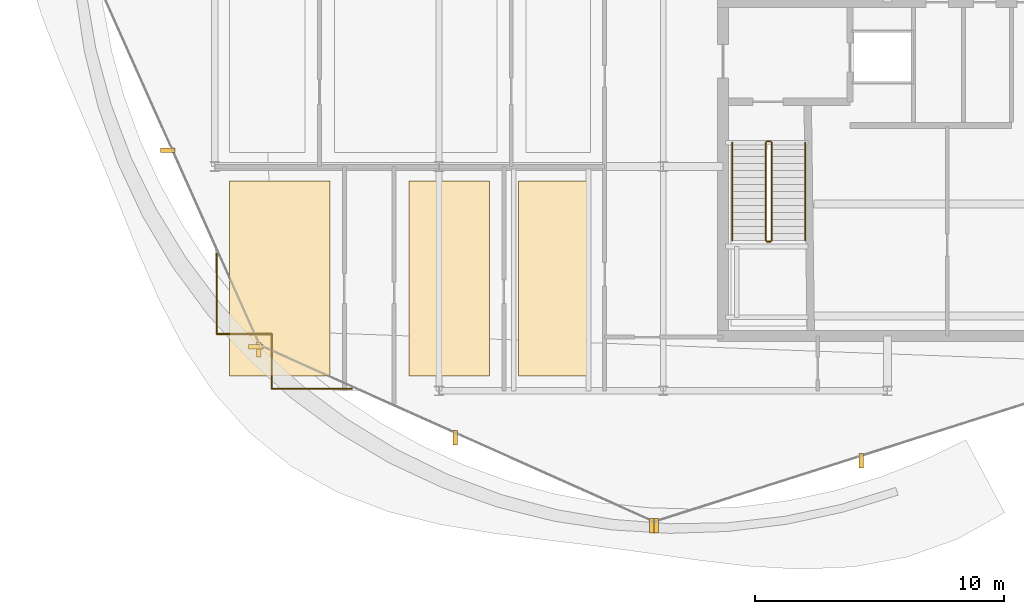
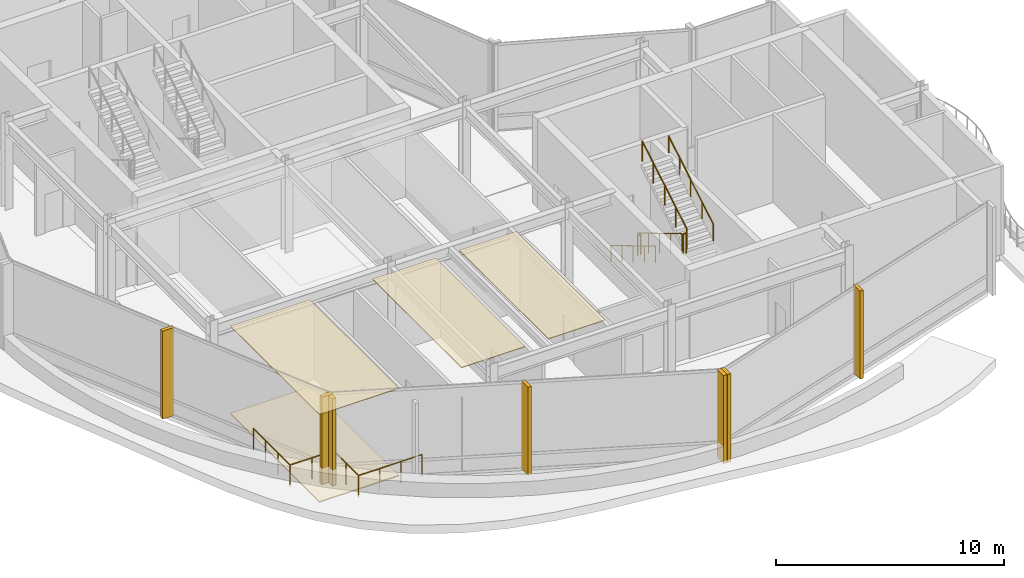
# One storey, part 19 of 23: 11 coverings, 10 railings.
"""IFC4 building model written with IfcOpenShell, lengths in metres."""

from ifc_helpers import new_model, si_unit, direction, frame, origin, origin_2d, place, context, subcontext, project, spatial, polyline, rectangle, circle, outline, extrude, material, layer, layer_set, type_object, element, save


model = new_model("IFC4")

# Units and contexts
model_context = context("Model", 3, precision=1e-05, world=origin(), true_north=direction((0.0, 1.0)))
body_context = subcontext(model_context, "Body", "Model", "MODEL_VIEW")
ifc_project = project(units=[si_unit("LENGTHUNIT", "METRE"), si_unit("AREAUNIT", "SQUARE_METRE"), si_unit("VOLUMEUNIT", "CUBIC_METRE"), si_unit("PLANEANGLEUNIT", "RADIAN"), si_unit("MASSUNIT", "GRAM", prefix="KILO")], contexts=[model_context])

# Site, building, storey
site_placement = place(None, origin())
site = spatial("IfcSite", under=ifc_project, at=site_placement, CompositionType="ELEMENT")
building_placement = place(site_placement, origin())
building = spatial("IfcBuilding", under=site, at=building_placement, Name="Solvaryn Broadcast Tower", CompositionType="ELEMENT")
storey_placement = place(building_placement, frame((0.0, 0.0, 235.800048828125)))
storey = spatial("IfcBuildingStorey", under=building, at=storey_placement, Name="L59", CompositionType="ELEMENT", Elevation=235.800048828125)

# Coverings
ifc_material_1 = material(Name="Micro-Perforated Acoustic Gypsum Ceiling", Category="concrete")
ifc_layer_1 = layer(ifc_material_1, 0.0400390625)
ifc_layer_set_1 = layer_set([ifc_layer_1], Name="CV-CEIL-ACOUSTIC")
covering_type_1 = type_object("IfcCoveringType", Name="CV-CEIL-ACOUSTIC", PredefinedType="CEILING", material=ifc_layer_set_1)
covering_1_placement = place(storey_placement, frame((0.0, 0.0, 4.679931640625)))
element("IfcCovering", 1, at=covering_1_placement, inside=storey, type_object=covering_type_1, Name="L59 Room Acoustic Ceiling 4", PredefinedType="CEILING", context=body_context, shape_type="SweptSolid", body=[
    extrude(outline(polyline([(9.60009765625, 9.60009765625), (13.6298828125, 9.60009765625), (13.6298828125, 17.429931640625), (9.60009765625, 17.429931640625), (9.60009765625, 9.60009765625)])), origin(), (0.0, 0.0, 1.0), 0.0400390625),
])
covering_2_placement = place(storey_placement, frame((0.0, 0.0, 4.679931640625)))
element("IfcCovering", 2, at=covering_2_placement, inside=storey, type_object=covering_type_1, Name="L59 Room Acoustic Ceiling 5", PredefinedType="CEILING", context=body_context, shape_type="SweptSolid", body=[
    extrude(outline(polyline([(16.800048828125, 9.60009765625), (20.030029296875, 9.60009765625), (20.030029296875, 17.429931640625), (16.800048828125, 17.429931640625), (16.800048828125, 9.60009765625)])), origin(), (0.0, 0.0, 1.0), 0.0400390625),
])
covering_3_placement = place(storey_placement, frame((0.0, 0.0, 4.679931640625)))
element("IfcCovering", 3, at=covering_3_placement, inside=storey, type_object=covering_type_1, Name="L59 Room Acoustic Ceiling 6", PredefinedType="CEILING", context=body_context, shape_type="SweptSolid", body=[
    extrude(outline(polyline([(21.199951171875, 9.60009765625), (24.080078125, 9.60009765625), (24.080078125, 17.429931640625), (21.199951171875, 17.429931640625), (21.199951171875, 9.60009765625)])), origin(), (0.0, 0.0, 1.0), 0.0400390625),
])
ifc_material_2 = material(Name="Newsroom Raised Data Access Flooring", Category="steel")
ifc_layer_2 = layer(ifc_material_2, 0.050048828125)
ifc_layer_set_2 = layer_set([ifc_layer_2], Name="CV-FLOOR-RAISED")
covering_type_2 = type_object("IfcCoveringType", Name="CV-FLOOR-RAISED", PredefinedType="FLOORING", material=ifc_layer_set_2)
covering_4_placement = place(storey_placement, origin())
element("IfcCovering", 4, at=covering_4_placement, inside=storey, type_object=covering_type_2, Name="L59 Room Acoustic Floor Finish 4", PredefinedType="FLOORING", context=body_context, shape_type="SweptSolid", body=[
    extrude(outline(polyline([(9.60009765625, 9.60009765625), (13.6298828125, 9.60009765625), (13.6298828125, 17.429931640625), (9.60009765625, 17.429931640625), (9.60009765625, 9.60009765625)])), origin(), (0.0, 0.0, 1.0), 0.050048828125),
])
ifc_material_3 = material(Name="Extruded Architectural Terracotta Fin", Category="masonry")
ifc_layer_3 = layer(ifc_material_3, 0.179931640625)
ifc_layer_set_3 = layer_set([ifc_layer_3], Name="CV-TC-FIN")
covering_type_3 = type_object("IfcCoveringType", Name="CV-TC-FIN", PredefinedType="USERDEFINED", material=ifc_layer_set_3)
for number, where, z_axis, x_axis, name in (
    (5, (7.11328125, 18.653076171875, 0.0), (0.0, 0.0, 1.0), (1.0, 0.0, 0.0), "L59 Terracotta Vertical Fin FIN-L59-DR2-M01"),
    (6, (10.640380859375, 10.77099609375, 0.0), (0.0, 0.0, 1.0), (1.0, 0.0, 0.0), "L59 Terracotta Vertical Fin FIN-L59-DR2-M02"),
):
    element("IfcCovering", number, at=place(storey_placement, frame(where, z_axis=z_axis, x_axis=x_axis)), inside=storey, type_object=covering_type_3, Name=name, ObjectType="FIN", PredefinedType="USERDEFINED", context=body_context, shape_type="SweptSolid", body=[
        extrude(rectangle(XDim=0.580078125, YDim=0.179931640625, at=origin_2d()), origin(), (0.0, 0.0, 1.0), 4.719970703125),
    ])
for number, where, z_axis, x_axis, name in (
    (7, (10.77099609375, 10.640380859375, 0.0), (0.0, 0.0, 1.0), (1.0, 0.0, 0.0), "L59 Terracotta Vertical Fin FIN-L59-DR3-M00"),
    (8, (18.653076171875, 7.11328125, 0.0), (0.0, 0.0, 1.0), (1.0, 0.0, 0.0), "L59 Terracotta Vertical Fin FIN-L59-DR3-M01"),
    (9, (26.53515625, 3.5859375, 0.0), (0.0, 0.0, 1.0), (1.0, 0.0, 0.0), "L59 Terracotta Vertical Fin FIN-L59-DR3-M02"),
    (10, (26.71923828125, 3.575439453125, 0.0), (0.0, 0.0, 1.0), (1.0, 0.0, 0.0), "L59 Terracotta Vertical Fin FIN-L59-DR4-M00"),
    (11, (34.947265625, 6.197265625, 0.0), (0.0, 0.0, 1.0), (1.0, 0.0, 0.0), "L59 Terracotta Vertical Fin FIN-L59-DR4-M01"),
):
    element("IfcCovering", number, at=place(storey_placement, frame(where, z_axis=z_axis, x_axis=x_axis)), inside=storey, type_object=covering_type_3, Name=name, ObjectType="FIN", PredefinedType="USERDEFINED", context=body_context, shape_type="SweptSolid", body=[
        extrude(rectangle(XDim=0.179931640625, YDim=0.580078125, at=origin_2d()), origin(), (0.0, 0.0, 1.0), 4.719970703125),
    ])

# Railings
ifc_material_4 = material(Name="Stainless Steel and Laminated Glass Guard", Category="steel")
railing_type_1 = type_object("IfcRailingType", Name="RL-SKYG-1200", PredefinedType="BALUSTRADE", material=ifc_material_4)
railing_1_placement = place(storey_placement, frame((9.080078125, 14.5, 0.0)))
element("IfcRailing", 12, at=railing_1_placement, inside=storey, type_object=railing_type_1, Name="L59 Upper SW Corner Balustrade 1", PredefinedType="BALUSTRADE", context=body_context, shape_type="SweptSolid", body=[
    extrude(circle(Radius=0.02392578125, at=origin_2d()), frame((0.0, 0.0, 1.17578125), z_axis=(0.0, -1.0, 0.0), x_axis=(1.0, 0.0, 0.0)), (0.0, 0.0, 1.0), 3.219970703125),
    extrude(circle(Radius=0.02099609375, at=origin_2d()), origin(), (0.0, 0.0, 1.0), 1.15185546875),
    extrude(circle(Radius=0.02099609375, at=origin_2d()), frame((0.0, -1.0732421875, 0.0)), (0.0, 0.0, 1.0), 1.15185546875),
    extrude(circle(Radius=0.02099609375, at=origin_2d()), frame((0.0, -2.146728515625, 0.0)), (0.0, 0.0, 1.0), 1.15185546875),
    extrude(circle(Radius=0.02099609375, at=origin_2d()), frame((0.0, -3.219970703125, 0.0)), (0.0, 0.0, 1.0), 1.15185546875),
])
railing_2_placement = place(storey_placement, frame((9.080078125, 11.280029296875, 0.0)))
element("IfcRailing", 13, at=railing_2_placement, inside=storey, type_object=railing_type_1, Name="L59 Upper SW Corner Balustrade 2", PredefinedType="BALUSTRADE", context=body_context, shape_type="SweptSolid", body=[
    extrude(circle(Radius=0.02392578125, at=origin_2d()), frame((0.0, 0.0, 1.17578125), z_axis=(1.0, 0.0, 0.0), x_axis=(0.0, 1.0, 0.0)), (0.0, 0.0, 1.0), 2.199951171875),
    extrude(circle(Radius=0.02099609375, at=origin_2d()), origin(), (0.0, 0.0, 1.0), 1.15185546875),
    extrude(circle(Radius=0.02099609375, at=origin_2d()), frame((1.10009765625, 0.0, 0.0)), (0.0, 0.0, 1.0), 1.15185546875),
    extrude(circle(Radius=0.02099609375, at=origin_2d()), frame((2.199951171875, 0.0, 0.0)), (0.0, 0.0, 1.0), 1.15185546875),
])
railing_3_placement = place(storey_placement, frame((11.280029296875, 11.280029296875, 0.0)))
element("IfcRailing", 14, at=railing_3_placement, inside=storey, type_object=railing_type_1, Name="L59 Upper SW Corner Balustrade 3", PredefinedType="BALUSTRADE", context=body_context, shape_type="SweptSolid", body=[
    extrude(circle(Radius=0.02392578125, at=origin_2d()), frame((0.0, 0.0, 1.17578125), z_axis=(0.0, -1.0, 0.0), x_axis=(1.0, 0.0, 0.0)), (0.0, 0.0, 1.0), 2.199951171875),
    extrude(circle(Radius=0.02099609375, at=origin_2d()), origin(), (0.0, 0.0, 1.0), 1.15185546875),
    extrude(circle(Radius=0.02099609375, at=origin_2d()), frame((0.0, -1.10009765625, 0.0)), (0.0, 0.0, 1.0), 1.15185546875),
    extrude(circle(Radius=0.02099609375, at=origin_2d()), frame((0.0, -2.199951171875, 0.0)), (0.0, 0.0, 1.0), 1.15185546875),
])
railing_4_placement = place(storey_placement, frame((11.280029296875, 9.080078125, 0.0)))
element("IfcRailing", 15, at=railing_4_placement, inside=storey, type_object=railing_type_1, Name="L59 Upper SW Corner Balustrade 4", PredefinedType="BALUSTRADE", context=body_context, shape_type="SweptSolid", body=[
    extrude(circle(Radius=0.02392578125, at=origin_2d()), frame((0.0, 0.0, 1.17578125), z_axis=(1.0, 0.0, 0.0), x_axis=(0.0, 1.0, 0.0)), (0.0, 0.0, 1.0), 3.219970703125),
    extrude(circle(Radius=0.02099609375, at=origin_2d()), origin(), (0.0, 0.0, 1.0), 1.15185546875),
    extrude(circle(Radius=0.02099609375, at=origin_2d()), frame((1.0732421875, 0.0, 0.0)), (0.0, 0.0, 1.0), 1.15185546875),
    extrude(circle(Radius=0.02099609375, at=origin_2d()), frame((2.146728515625, 0.0, 0.0)), (0.0, 0.0, 1.0), 1.15185546875),
    extrude(circle(Radius=0.02099609375, at=origin_2d()), frame((3.219970703125, 0.0, 0.0)), (0.0, 0.0, 1.0), 1.15185546875),
])
ifc_material_5 = material(Name="Painted Steel Stair Well Guard", Category="steel")
railing_type_2 = type_object("IfcRailingType", Name="RL-STAIR-GUARD", PredefinedType="BALUSTRADE", material=ifc_material_5)
railing_5_placement = place(storey_placement, frame((31.110107421875, 18.9599609375, 0.16650390625)))
element("IfcRailing", 16, at=railing_5_placement, inside=storey, type_object=railing_type_2, Name="L59 ST3 stair guard 1", PredefinedType="BALUSTRADE", context=body_context, shape_type="SweptSolid", body=[
    extrude(circle(Radius=0.02392578125, at=origin_2d()), frame((0.0, 0.0, 1.076171875), z_axis=(0.0, -0.859272722373, 0.511517730471), x_axis=(1.0, 0.0, 0.0)), (0.0, 0.0, 1.0), 4.56201171875),
    extrude(circle(Radius=0.02099609375, at=origin_2d()), origin(), (0.0, 0.0, 1.0), 1.052001953125),
    extrude(circle(Radius=0.02099609375, at=origin_2d()), frame((0.0, -0.97998046875, 0.58349609375)), (0.0, 0.0, 1.0), 1.052001953125),
    extrude(circle(Radius=0.02099609375, at=origin_2d()), frame((0.0, -1.9599609375, 1.166748046875)), (0.0, 0.0, 1.0), 1.052001953125),
    extrude(circle(Radius=0.02099609375, at=origin_2d()), frame((0.0, -2.93994140625, 1.75)), (0.0, 0.0, 1.0), 1.052001953125),
    extrude(circle(Radius=0.02099609375, at=origin_2d()), frame((0.0, -3.919921875, 2.33349609375)), (0.0, 0.0, 1.0), 1.052001953125),
])
railing_6_placement = place(storey_placement, frame((31.159912109375, 14.989990234375, 2.5)))
element("IfcRailing", 17, at=railing_6_placement, inside=storey, type_object=railing_type_2, Name="L59 ST3 stair guard 2", PredefinedType="BALUSTRADE", context=body_context, shape_type="SweptSolid", body=[
    extrude(circle(Radius=0.02392578125, at=origin_2d()), frame((0.0, 0.0, 1.076171875), z_axis=(1.0, 0.0, 0.0), x_axis=(0.0, 1.0, 0.0)), (0.0, 0.0, 1.0), 0.150146484375),
    extrude(circle(Radius=0.02099609375, at=origin_2d()), origin(), (0.0, 0.0, 1.0), 1.052001953125),
    extrude(circle(Radius=0.02099609375, at=origin_2d()), frame((0.150146484375, 0.0, 0.0)), (0.0, 0.0, 1.0), 1.052001953125),
])
railing_7_placement = place(storey_placement, frame((31.360107421875, 15.0400390625, 2.66650390625)))
element("IfcRailing", 18, at=railing_7_placement, inside=storey, type_object=railing_type_2, Name="L59 ST3 stair guard 3", PredefinedType="BALUSTRADE", context=body_context, shape_type="SweptSolid", body=[
    extrude(circle(Radius=0.02392578125, at=origin_2d()), frame((0.0, 0.0, 1.076171875), z_axis=(0.0, 0.859272722373, 0.511517730471), x_axis=(-1.0, 0.0, 0.0)), (0.0, 0.0, 1.0), 4.56201171875),
    extrude(circle(Radius=0.02099609375, at=origin_2d()), origin(), (0.0, 0.0, 1.0), 1.052001953125),
    extrude(circle(Radius=0.02099609375, at=origin_2d()), frame((0.0, 0.97998046875, 0.58349609375)), (0.0, 0.0, 1.0), 1.052001953125),
    extrude(circle(Radius=0.02099609375, at=origin_2d()), frame((0.0, 1.9599609375, 1.166748046875)), (0.0, 0.0, 1.0), 1.052001953125),
    extrude(circle(Radius=0.02099609375, at=origin_2d()), frame((0.0, 2.93994140625, 1.75)), (0.0, 0.0, 1.0), 1.052001953125),
    extrude(circle(Radius=0.02099609375, at=origin_2d()), frame((0.0, 3.919921875, 2.33349609375)), (0.0, 0.0, 1.0), 1.052001953125),
])
railing_8_placement = place(storey_placement, frame((31.159912109375, 19.010009765625, 0.0)))
element("IfcRailing", 19, at=railing_8_placement, inside=storey, type_object=railing_type_2, Name="L59 ST3 stair guard 4", PredefinedType="BALUSTRADE", context=body_context, shape_type="SweptSolid", body=[
    extrude(circle(Radius=0.02392578125, at=origin_2d()), frame((0.0, 0.0, 1.076171875), z_axis=(1.0, 0.0, 0.0), x_axis=(0.0, 1.0, 0.0)), (0.0, 0.0, 1.0), 0.150146484375),
    extrude(circle(Radius=0.02099609375, at=origin_2d()), origin(), (0.0, 0.0, 1.0), 1.052001953125),
    extrude(circle(Radius=0.02099609375, at=origin_2d()), frame((0.150146484375, 0.0, 0.0)), (0.0, 0.0, 1.0), 1.052001953125),
])
ifc_material_6 = material(Name="Brushed Stainless Steel Tubular Handrail", Category="steel")
railing_type_3 = type_object("IfcRailingType", Name="RL-STAIR-HANDRAIL", PredefinedType="HANDRAIL", material=ifc_material_6)
railing_9_placement = place(storey_placement, frame((29.77001953125, 18.9599609375, 0.16650390625)))
element("IfcRailing", 20, at=railing_9_placement, inside=storey, type_object=railing_type_3, Name="L59 ST3 stair handrail 1", PredefinedType="HANDRAIL", context=body_context, shape_type="SweptSolid", body=[
    extrude(circle(Radius=0.02392578125, at=origin_2d()), frame((0.0, 0.0, 0.8759765625), z_axis=(0.0, -0.859272722373, 0.511517730471), x_axis=(1.0, 0.0, 0.0)), (0.0, 0.0, 1.0), 4.56201171875),
    extrude(circle(Radius=0.02099609375, at=origin_2d()), origin(), (0.0, 0.0, 1.0), 0.851806640625),
    extrude(circle(Radius=0.02099609375, at=origin_2d()), frame((0.0, -0.97998046875, 0.58349609375)), (0.0, 0.0, 1.0), 0.851806640625),
    extrude(circle(Radius=0.02099609375, at=origin_2d()), frame((0.0, -1.9599609375, 1.166748046875)), (0.0, 0.0, 1.0), 0.851806640625),
    extrude(circle(Radius=0.02099609375, at=origin_2d()), frame((0.0, -2.93994140625, 1.75)), (0.0, 0.0, 1.0), 0.851806640625),
    extrude(circle(Radius=0.02099609375, at=origin_2d()), frame((0.0, -3.919921875, 2.33349609375)), (0.0, 0.0, 1.0), 0.851806640625),
])
railing_10_placement = place(storey_placement, frame((32.699951171875, 15.0400390625, 2.66650390625)))
element("IfcRailing", 21, at=railing_10_placement, inside=storey, type_object=railing_type_3, Name="L59 ST3 stair handrail 2", PredefinedType="HANDRAIL", context=body_context, shape_type="SweptSolid", body=[
    extrude(circle(Radius=0.02392578125, at=origin_2d()), frame((0.0, 0.0, 0.8759765625), z_axis=(0.0, 0.859272722373, 0.511517730471), x_axis=(-1.0, 0.0, 0.0)), (0.0, 0.0, 1.0), 4.56201171875),
    extrude(circle(Radius=0.02099609375, at=origin_2d()), origin(), (0.0, 0.0, 1.0), 0.851806640625),
    extrude(circle(Radius=0.02099609375, at=origin_2d()), frame((0.0, 0.97998046875, 0.58349609375)), (0.0, 0.0, 1.0), 0.851806640625),
    extrude(circle(Radius=0.02099609375, at=origin_2d()), frame((0.0, 1.9599609375, 1.166748046875)), (0.0, 0.0, 1.0), 0.851806640625),
    extrude(circle(Radius=0.02099609375, at=origin_2d()), frame((0.0, 2.93994140625, 1.75)), (0.0, 0.0, 1.0), 0.851806640625),
    extrude(circle(Radius=0.02099609375, at=origin_2d()), frame((0.0, 3.919921875, 2.33349609375)), (0.0, 0.0, 1.0), 0.851806640625),
])

save(model, "model.ifc")
